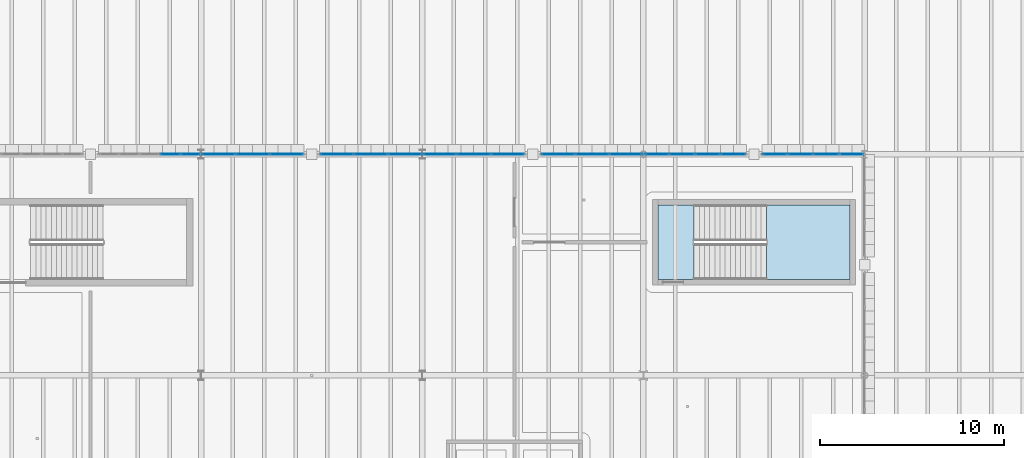
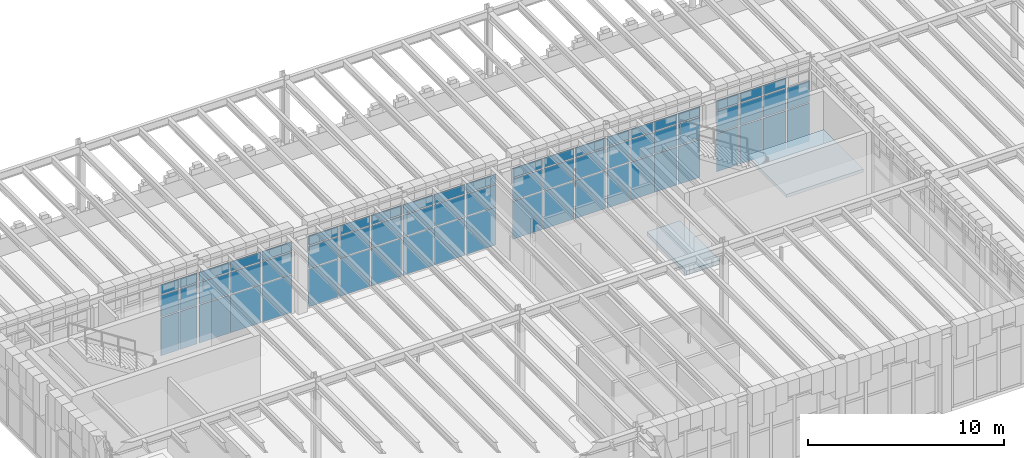
# One storey, part 49 of 100: 65 plates, 2 slabs, 8 elements without a shape of their own.
"""IFC4 building model written with IfcOpenShell, lengths in metres."""

from ifc_helpers import new_model, si_unit, direction, frame, origin, origin_2d, place, context, subcontext, project, spatial, polyline, rectangle, outline, extrude, material, layer, layer_set, type_object, element, aggregate, save


model = new_model("IFC4")

# Units and contexts
model_context = context("Model", 3, precision=1e-05, world=origin(), true_north=direction((0.0, 1.0)))
body_context = subcontext(model_context, "Body", "Model", "MODEL_VIEW")
ifc_project = project(units=[si_unit("LENGTHUNIT", "METRE"), si_unit("AREAUNIT", "SQUARE_METRE"), si_unit("VOLUMEUNIT", "CUBIC_METRE"), si_unit("PLANEANGLEUNIT", "RADIAN"), si_unit("MASSUNIT", "GRAM", prefix="KILO")], contexts=[model_context])

# Site, building, storey
site_placement = place(None, origin())
site = spatial("IfcSite", under=ifc_project, at=site_placement, CompositionType="ELEMENT")
building_placement = place(site_placement, origin())
building = spatial("IfcBuilding", under=site, at=building_placement, Name="Zlatogorsky Bluff Art Gallery", CompositionType="ELEMENT")
storey_placement = place(building_placement, frame((0.0, 0.0, 5.39990234375)))
storey = spatial("IfcBuildingStorey", under=building, at=storey_placement, Name="L01", CompositionType="ELEMENT", Elevation=5.39990234375)

# Curtain wall, plates
ifc_material_1 = material(Name="Anodised Bronze Aluminium and Low-Iron Triple Glazing", Category="aluminium")
ifc_layer_1 = layer(ifc_material_1, 0.179931640625)
ifc_layer_set_1 = layer_set([ifc_layer_1], Name="Curtain Wall CW-03")
curtain_wall_type_1 = type_object("IfcCurtainWallType", Name="Curtain Wall CW-03", PredefinedType="USERDEFINED", material=ifc_layer_set_1)
curtain_wall_1_placement = place(storey_placement, origin())
curtain_wall_1 = element("IfcCurtainWall", 1, at=curtain_wall_1_placement, inside=storey, type_object=curtain_wall_type_1, Name="Unitised curtain wall CW-03 L01 N 0.9-A", ObjectType="CURTAIN WALL", PredefinedType="USERDEFINED")
ifc_material_2 = material(Name="Low-Iron Laminated Triple Glazing", Category="glass")
ifc_layer_2 = layer(ifc_material_2, 0.035888671875)
ifc_layer_set_2 = layer_set([ifc_layer_2], Name="Glazed Curtain Panel CWP-01")
plate_type = type_object("IfcPlateType", Name="Glazed Curtain Panel CWP-01", PredefinedType="CURTAIN_PANEL", material=ifc_layer_set_2)
plate_1_placement = place(storey_placement, frame((11.42578125, 108.0, 0.065185546875), z_axis=(0.0, 0.0, 1.0), x_axis=(-1.0, 0.0, 0.0)))
plate_1 = element("IfcPlate", 2, at=plate_1_placement, type_object=plate_type, Name="CW-03 panel 1.1", PredefinedType="CURTAIN_PANEL", context=body_context, shape_type="SweptSolid", body=[
    extrude(rectangle(XDim=1.0185546875, YDim=0.035888671875, at=origin_2d()), origin(), (0.0, 0.0, 1.0), 2.3525390625),
])
plate_2_placement = place(storey_placement, frame((11.42578125, 108.0, 2.482666015625), z_axis=(0.0, 0.0, 1.0), x_axis=(-1.0, 0.0, 0.0)))
plate_2 = element("IfcPlate", 3, at=plate_2_placement, type_object=plate_type, Name="CW-03 panel 1.2", PredefinedType="CURTAIN_PANEL", context=body_context, shape_type="SweptSolid", body=[
    extrude(rectangle(XDim=1.0185546875, YDim=0.035888671875, at=origin_2d()), origin(), (0.0, 0.0, 1.0), 1.3349609375),
])
plate_3_placement = place(storey_placement, frame((11.42578125, 108.0, 3.882568359375), z_axis=(0.0, 0.0, 1.0), x_axis=(-1.0, 0.0, 0.0)))
plate_3 = element("IfcPlate", 4, at=plate_3_placement, type_object=plate_type, Name="CW-03 panel 1.3", PredefinedType="CURTAIN_PANEL", context=body_context, shape_type="SweptSolid", body=[
    extrude(rectangle(XDim=1.0185546875, YDim=0.035888671875, at=origin_2d()), origin(), (0.0, 0.0, 1.0), 0.58251953125),
])
plate_4_placement = place(storey_placement, frame((10.325927734375, 108.0, 0.065185546875), z_axis=(0.0, 0.0, 1.0), x_axis=(-1.0, 0.0, 0.0)))
plate_4 = element("IfcPlate", 5, at=plate_4_placement, type_object=plate_type, Name="CW-03 panel 2.1", PredefinedType="CURTAIN_PANEL", context=body_context, shape_type="SweptSolid", body=[
    extrude(rectangle(XDim=1.051025390625, YDim=0.035888671875, at=origin_2d()), origin(), (0.0, 0.0, 1.0), 2.3525390625),
])
plate_5_placement = place(storey_placement, frame((10.325927734375, 108.0, 2.482666015625), z_axis=(0.0, 0.0, 1.0), x_axis=(-1.0, 0.0, 0.0)))
plate_5 = element("IfcPlate", 6, at=plate_5_placement, type_object=plate_type, Name="CW-03 panel 2.2", PredefinedType="CURTAIN_PANEL", context=body_context, shape_type="SweptSolid", body=[
    extrude(rectangle(XDim=1.051025390625, YDim=0.035888671875, at=origin_2d()), origin(), (0.0, 0.0, 1.0), 1.3349609375),
])
plate_6_placement = place(storey_placement, frame((10.325927734375, 108.0, 3.882568359375), z_axis=(0.0, 0.0, 1.0), x_axis=(-1.0, 0.0, 0.0)))
plate_6 = element("IfcPlate", 7, at=plate_6_placement, type_object=plate_type, Name="CW-03 panel 2.3", PredefinedType="CURTAIN_PANEL", context=body_context, shape_type="SweptSolid", body=[
    extrude(rectangle(XDim=1.051025390625, YDim=0.035888671875, at=origin_2d()), origin(), (0.0, 0.0, 1.0), 0.58251953125),
])
aggregate(curtain_wall_1, [plate_1, plate_2, plate_3, plate_4, plate_5, plate_6])

ifc_layer_3 = layer(ifc_material_1, 0.219970703125)
ifc_layer_set_3 = layer_set([ifc_layer_3], Name="Curtain Wall CW-04")
curtain_wall_type_2 = type_object("IfcCurtainWallType", Name="Curtain Wall CW-04", PredefinedType="USERDEFINED", material=ifc_layer_set_3)
curtain_wall_2_placement = place(storey_placement, origin())
curtain_wall_2 = element("IfcCurtainWall", 8, at=curtain_wall_2_placement, inside=storey, type_object=curtain_wall_type_2, Name="Unitised curtain wall CW-04 L01 N 1.9-A", ObjectType="CURTAIN WALL", PredefinedType="USERDEFINED")
plate_7_placement = place(storey_placement, frame((23.0537109375, 108.0, 0.065185546875), z_axis=(0.0, 0.0, 1.0), x_axis=(-1.0, 0.0, 0.0)))
plate_7 = element("IfcPlate", 9, at=plate_7_placement, type_object=plate_type, Name="CW-04 panel 1.1", PredefinedType="CURTAIN_PANEL", context=body_context, shape_type="SweptSolid", body=[
    extrude(rectangle(XDim=1.762451171875, YDim=0.035888671875, at=origin_2d()), origin(), (0.0, 0.0, 1.0), 2.3525390625),
])
plate_8_placement = place(storey_placement, frame((23.0537109375, 108.0, 2.482666015625), z_axis=(0.0, 0.0, 1.0), x_axis=(-1.0, 0.0, 0.0)))
plate_8 = element("IfcPlate", 10, at=plate_8_placement, type_object=plate_type, Name="CW-04 panel 1.2", PredefinedType="CURTAIN_PANEL", context=body_context, shape_type="SweptSolid", body=[
    extrude(rectangle(XDim=1.762451171875, YDim=0.035888671875, at=origin_2d()), origin(), (0.0, 0.0, 1.0), 1.3349609375),
])
plate_9_placement = place(storey_placement, frame((23.0537109375, 108.0, 3.882568359375), z_axis=(0.0, 0.0, 1.0), x_axis=(-1.0, 0.0, 0.0)))
plate_9 = element("IfcPlate", 11, at=plate_9_placement, type_object=plate_type, Name="CW-04 panel 1.3", PredefinedType="CURTAIN_PANEL", context=body_context, shape_type="SweptSolid", body=[
    extrude(rectangle(XDim=1.762451171875, YDim=0.035888671875, at=origin_2d()), origin(), (0.0, 0.0, 1.0), 0.58251953125),
])
plate_10_placement = place(storey_placement, frame((21.2099609375, 108.0, 0.065185546875), z_axis=(0.0, 0.0, 1.0), x_axis=(-1.0, 0.0, 0.0)))
plate_10 = element("IfcPlate", 12, at=plate_10_placement, type_object=plate_type, Name="CW-04 panel 2.1", PredefinedType="CURTAIN_PANEL", context=body_context, shape_type="SweptSolid", body=[
    extrude(rectangle(XDim=1.794921875, YDim=0.035888671875, at=origin_2d()), origin(), (0.0, 0.0, 1.0), 2.3525390625),
])
plate_11_placement = place(storey_placement, frame((21.2099609375, 108.0, 2.482666015625), z_axis=(0.0, 0.0, 1.0), x_axis=(-1.0, 0.0, 0.0)))
plate_11 = element("IfcPlate", 13, at=plate_11_placement, type_object=plate_type, Name="CW-04 panel 2.2", PredefinedType="CURTAIN_PANEL", context=body_context, shape_type="SweptSolid", body=[
    extrude(rectangle(XDim=1.794921875, YDim=0.035888671875, at=origin_2d()), origin(), (0.0, 0.0, 1.0), 1.3349609375),
])
plate_12_placement = place(storey_placement, frame((21.2099609375, 108.0, 3.882568359375), z_axis=(0.0, 0.0, 1.0), x_axis=(-1.0, 0.0, 0.0)))
plate_12 = element("IfcPlate", 14, at=plate_12_placement, type_object=plate_type, Name="CW-04 panel 2.3", PredefinedType="CURTAIN_PANEL", context=body_context, shape_type="SweptSolid", body=[
    extrude(rectangle(XDim=1.794921875, YDim=0.035888671875, at=origin_2d()), origin(), (0.0, 0.0, 1.0), 0.58251953125),
])
plate_13_placement = place(storey_placement, frame((19.3662109375, 108.0, 0.065185546875), z_axis=(0.0, 0.0, 1.0), x_axis=(-1.0, 0.0, 0.0)))
plate_13 = element("IfcPlate", 15, at=plate_13_placement, type_object=plate_type, Name="CW-04 panel 3.1", PredefinedType="CURTAIN_PANEL", context=body_context, shape_type="SweptSolid", body=[
    extrude(rectangle(XDim=1.762451171875, YDim=0.035888671875, at=origin_2d()), origin(), (0.0, 0.0, 1.0), 2.3525390625),
])
plate_14_placement = place(storey_placement, frame((19.3662109375, 108.0, 2.482666015625), z_axis=(0.0, 0.0, 1.0), x_axis=(-1.0, 0.0, 0.0)))
plate_14 = element("IfcPlate", 16, at=plate_14_placement, type_object=plate_type, Name="CW-04 panel 3.2", PredefinedType="CURTAIN_PANEL", context=body_context, shape_type="SweptSolid", body=[
    extrude(rectangle(XDim=1.762451171875, YDim=0.035888671875, at=origin_2d()), origin(), (0.0, 0.0, 1.0), 1.3349609375),
])
plate_15_placement = place(storey_placement, frame((19.3662109375, 108.0, 3.882568359375), z_axis=(0.0, 0.0, 1.0), x_axis=(-1.0, 0.0, 0.0)))
plate_15 = element("IfcPlate", 17, at=plate_15_placement, type_object=plate_type, Name="CW-04 panel 3.3", PredefinedType="CURTAIN_PANEL", context=body_context, shape_type="SweptSolid", body=[
    extrude(rectangle(XDim=1.762451171875, YDim=0.035888671875, at=origin_2d()), origin(), (0.0, 0.0, 1.0), 0.58251953125),
])
aggregate(curtain_wall_2, [plate_7, plate_8, plate_9, plate_10, plate_11, plate_12, plate_13, plate_14, plate_15])

curtain_wall_3_placement = place(storey_placement, origin())
curtain_wall_3 = element("IfcCurtainWall", 18, at=curtain_wall_3_placement, inside=storey, type_object=curtain_wall_type_2, Name="Unitised curtain wall CW-04 L01 N 1.9-B", ObjectType="CURTAIN WALL", PredefinedType="USERDEFINED")
plate_16_placement = place(storey_placement, frame((16.6337890625, 108.0, 0.065185546875), z_axis=(0.0, 0.0, 1.0), x_axis=(-1.0, 0.0, 0.0)))
plate_16 = element("IfcPlate", 19, at=plate_16_placement, type_object=plate_type, Name="CW-04 panel 1.1", PredefinedType="CURTAIN_PANEL", context=body_context, shape_type="SweptSolid", body=[
    extrude(rectangle(XDim=1.762451171875, YDim=0.035888671875, at=origin_2d()), origin(), (0.0, 0.0, 1.0), 2.3525390625),
])
plate_17_placement = place(storey_placement, frame((16.6337890625, 108.0, 2.482666015625), z_axis=(0.0, 0.0, 1.0), x_axis=(-1.0, 0.0, 0.0)))
plate_17 = element("IfcPlate", 20, at=plate_17_placement, type_object=plate_type, Name="CW-04 panel 1.2", PredefinedType="CURTAIN_PANEL", context=body_context, shape_type="SweptSolid", body=[
    extrude(rectangle(XDim=1.762451171875, YDim=0.035888671875, at=origin_2d()), origin(), (0.0, 0.0, 1.0), 1.3349609375),
])
plate_18_placement = place(storey_placement, frame((16.6337890625, 108.0, 3.882568359375), z_axis=(0.0, 0.0, 1.0), x_axis=(-1.0, 0.0, 0.0)))
plate_18 = element("IfcPlate", 21, at=plate_18_placement, type_object=plate_type, Name="CW-04 panel 1.3", PredefinedType="CURTAIN_PANEL", context=body_context, shape_type="SweptSolid", body=[
    extrude(rectangle(XDim=1.762451171875, YDim=0.035888671875, at=origin_2d()), origin(), (0.0, 0.0, 1.0), 0.58251953125),
])
plate_19_placement = place(storey_placement, frame((14.7900390625, 108.0, 0.065185546875), z_axis=(0.0, 0.0, 1.0), x_axis=(-1.0, 0.0, 0.0)))
plate_19 = element("IfcPlate", 22, at=plate_19_placement, type_object=plate_type, Name="CW-04 panel 2.1", PredefinedType="CURTAIN_PANEL", context=body_context, shape_type="SweptSolid", body=[
    extrude(rectangle(XDim=1.794921875, YDim=0.035888671875, at=origin_2d()), origin(), (0.0, 0.0, 1.0), 2.3525390625),
])
plate_20_placement = place(storey_placement, frame((14.7900390625, 108.0, 2.482666015625), z_axis=(0.0, 0.0, 1.0), x_axis=(-1.0, 0.0, 0.0)))
plate_20 = element("IfcPlate", 23, at=plate_20_placement, type_object=plate_type, Name="CW-04 panel 2.2", PredefinedType="CURTAIN_PANEL", context=body_context, shape_type="SweptSolid", body=[
    extrude(rectangle(XDim=1.794921875, YDim=0.035888671875, at=origin_2d()), origin(), (0.0, 0.0, 1.0), 1.3349609375),
])
plate_21_placement = place(storey_placement, frame((14.7900390625, 108.0, 3.882568359375), z_axis=(0.0, 0.0, 1.0), x_axis=(-1.0, 0.0, 0.0)))
plate_21 = element("IfcPlate", 24, at=plate_21_placement, type_object=plate_type, Name="CW-04 panel 2.3", PredefinedType="CURTAIN_PANEL", context=body_context, shape_type="SweptSolid", body=[
    extrude(rectangle(XDim=1.794921875, YDim=0.035888671875, at=origin_2d()), origin(), (0.0, 0.0, 1.0), 0.58251953125),
])
plate_22_placement = place(storey_placement, frame((12.9462890625, 108.0, 0.065185546875), z_axis=(0.0, 0.0, 1.0), x_axis=(-1.0, 0.0, 0.0)))
plate_22 = element("IfcPlate", 25, at=plate_22_placement, type_object=plate_type, Name="CW-04 panel 3.1", PredefinedType="CURTAIN_PANEL", context=body_context, shape_type="SweptSolid", body=[
    extrude(rectangle(XDim=1.762451171875, YDim=0.035888671875, at=origin_2d()), origin(), (0.0, 0.0, 1.0), 2.3525390625),
])
plate_23_placement = place(storey_placement, frame((12.9462890625, 108.0, 2.482666015625), z_axis=(0.0, 0.0, 1.0), x_axis=(-1.0, 0.0, 0.0)))
plate_23 = element("IfcPlate", 26, at=plate_23_placement, type_object=plate_type, Name="CW-04 panel 3.2", PredefinedType="CURTAIN_PANEL", context=body_context, shape_type="SweptSolid", body=[
    extrude(rectangle(XDim=1.762451171875, YDim=0.035888671875, at=origin_2d()), origin(), (0.0, 0.0, 1.0), 1.3349609375),
])
plate_24_placement = place(storey_placement, frame((12.9462890625, 108.0, 3.882568359375), z_axis=(0.0, 0.0, 1.0), x_axis=(-1.0, 0.0, 0.0)))
plate_24 = element("IfcPlate", 27, at=plate_24_placement, type_object=plate_type, Name="CW-04 panel 3.3", PredefinedType="CURTAIN_PANEL", context=body_context, shape_type="SweptSolid", body=[
    extrude(rectangle(XDim=1.762451171875, YDim=0.035888671875, at=origin_2d()), origin(), (0.0, 0.0, 1.0), 0.58251953125),
])
aggregate(curtain_wall_3, [plate_16, plate_17, plate_18, plate_19, plate_20, plate_21, plate_22, plate_23, plate_24])

curtain_wall_4_placement = place(storey_placement, origin())
curtain_wall_4 = element("IfcCurtainWall", 28, at=curtain_wall_4_placement, inside=storey, type_object=curtain_wall_type_2, Name="Unitised curtain wall CW-04 L01 N 2.9-A", ObjectType="CURTAIN WALL", PredefinedType="USERDEFINED")
plate_25_placement = place(storey_placement, frame((35.0537109375, 108.0, 0.065185546875), z_axis=(0.0, 0.0, 1.0), x_axis=(-1.0, 0.0, 0.0)))
plate_25 = element("IfcPlate", 29, at=plate_25_placement, type_object=plate_type, Name="CW-04 panel 1.1", PredefinedType="CURTAIN_PANEL", context=body_context, shape_type="SweptSolid", body=[
    extrude(rectangle(XDim=1.762451171875, YDim=0.035888671875, at=origin_2d()), origin(), (0.0, 0.0, 1.0), 2.3525390625),
])
plate_26_placement = place(storey_placement, frame((35.0537109375, 108.0, 2.482666015625), z_axis=(0.0, 0.0, 1.0), x_axis=(-1.0, 0.0, 0.0)))
plate_26 = element("IfcPlate", 30, at=plate_26_placement, type_object=plate_type, Name="CW-04 panel 1.2", PredefinedType="CURTAIN_PANEL", context=body_context, shape_type="SweptSolid", body=[
    extrude(rectangle(XDim=1.762451171875, YDim=0.035888671875, at=origin_2d()), origin(), (0.0, 0.0, 1.0), 1.3349609375),
])
plate_27_placement = place(storey_placement, frame((35.0537109375, 108.0, 3.882568359375), z_axis=(0.0, 0.0, 1.0), x_axis=(-1.0, 0.0, 0.0)))
plate_27 = element("IfcPlate", 31, at=plate_27_placement, type_object=plate_type, Name="CW-04 panel 1.3", PredefinedType="CURTAIN_PANEL", context=body_context, shape_type="SweptSolid", body=[
    extrude(rectangle(XDim=1.762451171875, YDim=0.035888671875, at=origin_2d()), origin(), (0.0, 0.0, 1.0), 0.58251953125),
])
plate_28_placement = place(storey_placement, frame((33.2099609375, 108.0, 0.065185546875), z_axis=(0.0, 0.0, 1.0), x_axis=(-1.0, 0.0, 0.0)))
plate_28 = element("IfcPlate", 32, at=plate_28_placement, type_object=plate_type, Name="CW-04 panel 2.1", PredefinedType="CURTAIN_PANEL", context=body_context, shape_type="SweptSolid", body=[
    extrude(rectangle(XDim=1.794921875, YDim=0.035888671875, at=origin_2d()), origin(), (0.0, 0.0, 1.0), 2.3525390625),
])
plate_29_placement = place(storey_placement, frame((33.2099609375, 108.0, 2.482666015625), z_axis=(0.0, 0.0, 1.0), x_axis=(-1.0, 0.0, 0.0)))
plate_29 = element("IfcPlate", 33, at=plate_29_placement, type_object=plate_type, Name="CW-04 panel 2.2", PredefinedType="CURTAIN_PANEL", context=body_context, shape_type="SweptSolid", body=[
    extrude(rectangle(XDim=1.794921875, YDim=0.035888671875, at=origin_2d()), origin(), (0.0, 0.0, 1.0), 1.3349609375),
])
plate_30_placement = place(storey_placement, frame((33.2099609375, 108.0, 3.882568359375), z_axis=(0.0, 0.0, 1.0), x_axis=(-1.0, 0.0, 0.0)))
plate_30 = element("IfcPlate", 34, at=plate_30_placement, type_object=plate_type, Name="CW-04 panel 2.3", PredefinedType="CURTAIN_PANEL", context=body_context, shape_type="SweptSolid", body=[
    extrude(rectangle(XDim=1.794921875, YDim=0.035888671875, at=origin_2d()), origin(), (0.0, 0.0, 1.0), 0.58251953125),
])
plate_31_placement = place(storey_placement, frame((31.3662109375, 108.0, 0.065185546875), z_axis=(0.0, 0.0, 1.0), x_axis=(-1.0, 0.0, 0.0)))
plate_31 = element("IfcPlate", 35, at=plate_31_placement, type_object=plate_type, Name="CW-04 panel 3.1", PredefinedType="CURTAIN_PANEL", context=body_context, shape_type="SweptSolid", body=[
    extrude(rectangle(XDim=1.762451171875, YDim=0.035888671875, at=origin_2d()), origin(), (0.0, 0.0, 1.0), 2.3525390625),
])
plate_32_placement = place(storey_placement, frame((31.3662109375, 108.0, 2.482666015625), z_axis=(0.0, 0.0, 1.0), x_axis=(-1.0, 0.0, 0.0)))
plate_32 = element("IfcPlate", 36, at=plate_32_placement, type_object=plate_type, Name="CW-04 panel 3.2", PredefinedType="CURTAIN_PANEL", context=body_context, shape_type="SweptSolid", body=[
    extrude(rectangle(XDim=1.762451171875, YDim=0.035888671875, at=origin_2d()), origin(), (0.0, 0.0, 1.0), 1.3349609375),
])
plate_33_placement = place(storey_placement, frame((31.3662109375, 108.0, 3.882568359375), z_axis=(0.0, 0.0, 1.0), x_axis=(-1.0, 0.0, 0.0)))
plate_33 = element("IfcPlate", 37, at=plate_33_placement, type_object=plate_type, Name="CW-04 panel 3.3", PredefinedType="CURTAIN_PANEL", context=body_context, shape_type="SweptSolid", body=[
    extrude(rectangle(XDim=1.762451171875, YDim=0.035888671875, at=origin_2d()), origin(), (0.0, 0.0, 1.0), 0.58251953125),
])
aggregate(curtain_wall_4, [plate_25, plate_26, plate_27, plate_28, plate_29, plate_30, plate_31, plate_32, plate_33])

curtain_wall_5_placement = place(storey_placement, origin())
curtain_wall_5 = element("IfcCurtainWall", 38, at=curtain_wall_5_placement, inside=storey, type_object=curtain_wall_type_2, Name="Unitised curtain wall CW-04 L01 N 2.9-B", ObjectType="CURTAIN WALL", PredefinedType="USERDEFINED")
plate_34_placement = place(storey_placement, frame((28.6337890625, 108.0, 0.065185546875), z_axis=(0.0, 0.0, 1.0), x_axis=(-1.0, 0.0, 0.0)))
plate_34 = element("IfcPlate", 39, at=plate_34_placement, type_object=plate_type, Name="CW-04 panel 1.1", PredefinedType="CURTAIN_PANEL", context=body_context, shape_type="SweptSolid", body=[
    extrude(rectangle(XDim=1.762451171875, YDim=0.035888671875, at=origin_2d()), origin(), (0.0, 0.0, 1.0), 2.3525390625),
])
plate_35_placement = place(storey_placement, frame((28.6337890625, 108.0, 2.482666015625), z_axis=(0.0, 0.0, 1.0), x_axis=(-1.0, 0.0, 0.0)))
plate_35 = element("IfcPlate", 40, at=plate_35_placement, type_object=plate_type, Name="CW-04 panel 1.2", PredefinedType="CURTAIN_PANEL", context=body_context, shape_type="SweptSolid", body=[
    extrude(rectangle(XDim=1.762451171875, YDim=0.035888671875, at=origin_2d()), origin(), (0.0, 0.0, 1.0), 1.3349609375),
])
plate_36_placement = place(storey_placement, frame((28.6337890625, 108.0, 3.882568359375), z_axis=(0.0, 0.0, 1.0), x_axis=(-1.0, 0.0, 0.0)))
plate_36 = element("IfcPlate", 41, at=plate_36_placement, type_object=plate_type, Name="CW-04 panel 1.3", PredefinedType="CURTAIN_PANEL", context=body_context, shape_type="SweptSolid", body=[
    extrude(rectangle(XDim=1.762451171875, YDim=0.035888671875, at=origin_2d()), origin(), (0.0, 0.0, 1.0), 0.58251953125),
])
plate_37_placement = place(storey_placement, frame((26.7900390625, 108.0, 0.065185546875), z_axis=(0.0, 0.0, 1.0), x_axis=(-1.0, 0.0, 0.0)))
plate_37 = element("IfcPlate", 42, at=plate_37_placement, type_object=plate_type, Name="CW-04 panel 2.1", PredefinedType="CURTAIN_PANEL", context=body_context, shape_type="SweptSolid", body=[
    extrude(rectangle(XDim=1.794921875, YDim=0.035888671875, at=origin_2d()), origin(), (0.0, 0.0, 1.0), 2.3525390625),
])
plate_38_placement = place(storey_placement, frame((26.7900390625, 108.0, 2.482666015625), z_axis=(0.0, 0.0, 1.0), x_axis=(-1.0, 0.0, 0.0)))
plate_38 = element("IfcPlate", 43, at=plate_38_placement, type_object=plate_type, Name="CW-04 panel 2.2", PredefinedType="CURTAIN_PANEL", context=body_context, shape_type="SweptSolid", body=[
    extrude(rectangle(XDim=1.794921875, YDim=0.035888671875, at=origin_2d()), origin(), (0.0, 0.0, 1.0), 1.3349609375),
])
plate_39_placement = place(storey_placement, frame((26.7900390625, 108.0, 3.882568359375), z_axis=(0.0, 0.0, 1.0), x_axis=(-1.0, 0.0, 0.0)))
plate_39 = element("IfcPlate", 44, at=plate_39_placement, type_object=plate_type, Name="CW-04 panel 2.3", PredefinedType="CURTAIN_PANEL", context=body_context, shape_type="SweptSolid", body=[
    extrude(rectangle(XDim=1.794921875, YDim=0.035888671875, at=origin_2d()), origin(), (0.0, 0.0, 1.0), 0.58251953125),
])
plate_40_placement = place(storey_placement, frame((24.9462890625, 108.0, 0.065185546875), z_axis=(0.0, 0.0, 1.0), x_axis=(-1.0, 0.0, 0.0)))
plate_40 = element("IfcPlate", 45, at=plate_40_placement, type_object=plate_type, Name="CW-04 panel 3.1", PredefinedType="CURTAIN_PANEL", context=body_context, shape_type="SweptSolid", body=[
    extrude(rectangle(XDim=1.762451171875, YDim=0.035888671875, at=origin_2d()), origin(), (0.0, 0.0, 1.0), 2.3525390625),
])
plate_41_placement = place(storey_placement, frame((24.9462890625, 108.0, 2.482666015625), z_axis=(0.0, 0.0, 1.0), x_axis=(-1.0, 0.0, 0.0)))
plate_41 = element("IfcPlate", 46, at=plate_41_placement, type_object=plate_type, Name="CW-04 panel 3.2", PredefinedType="CURTAIN_PANEL", context=body_context, shape_type="SweptSolid", body=[
    extrude(rectangle(XDim=1.762451171875, YDim=0.035888671875, at=origin_2d()), origin(), (0.0, 0.0, 1.0), 1.3349609375),
])
plate_42_placement = place(storey_placement, frame((24.9462890625, 108.0, 3.882568359375), z_axis=(0.0, 0.0, 1.0), x_axis=(-1.0, 0.0, 0.0)))
plate_42 = element("IfcPlate", 47, at=plate_42_placement, type_object=plate_type, Name="CW-04 panel 3.3", PredefinedType="CURTAIN_PANEL", context=body_context, shape_type="SweptSolid", body=[
    extrude(rectangle(XDim=1.762451171875, YDim=0.035888671875, at=origin_2d()), origin(), (0.0, 0.0, 1.0), 0.58251953125),
])
aggregate(curtain_wall_5, [plate_34, plate_35, plate_36, plate_37, plate_38, plate_39, plate_40, plate_41, plate_42])

ifc_layer_4 = layer(ifc_material_1, 0.199951171875)
ifc_layer_set_4 = layer_set([ifc_layer_4], Name="Curtain Wall CW-02")
curtain_wall_type_3 = type_object("IfcCurtainWallType", Name="Curtain Wall CW-02", PredefinedType="USERDEFINED", material=ifc_layer_set_4)
curtain_wall_6_placement = place(storey_placement, origin())
curtain_wall_6 = element("IfcCurtainWall", 48, at=curtain_wall_6_placement, inside=storey, type_object=curtain_wall_type_3, Name="Unitised curtain wall CW-02 L01 N 3.9-A", ObjectType="CURTAIN WALL", PredefinedType="USERDEFINED")
plate_43_placement = place(storey_placement, frame((47.2861328125, 108.0, 0.065185546875), z_axis=(0.0, 0.0, 1.0), x_axis=(-1.0, 0.0, 0.0)))
plate_43 = element("IfcPlate", 49, at=plate_43_placement, type_object=plate_type, Name="CW-02 panel 1.1", PredefinedType="CURTAIN_PANEL", context=body_context, shape_type="SweptSolid", body=[
    extrude(rectangle(XDim=1.297607421875, YDim=0.035888671875, at=origin_2d()), origin(), (0.0, 0.0, 1.0), 2.3525390625),
])
plate_44_placement = place(storey_placement, frame((47.2861328125, 108.0, 2.482666015625), z_axis=(0.0, 0.0, 1.0), x_axis=(-1.0, 0.0, 0.0)))
plate_44 = element("IfcPlate", 50, at=plate_44_placement, type_object=plate_type, Name="CW-02 panel 1.2", PredefinedType="CURTAIN_PANEL", context=body_context, shape_type="SweptSolid", body=[
    extrude(rectangle(XDim=1.297607421875, YDim=0.035888671875, at=origin_2d()), origin(), (0.0, 0.0, 1.0), 1.3349609375),
])
plate_45_placement = place(storey_placement, frame((45.907470703125, 108.0, 0.065185546875), z_axis=(0.0, 0.0, 1.0), x_axis=(-1.0, 0.0, 0.0)))
plate_45 = element("IfcPlate", 51, at=plate_45_placement, type_object=plate_type, Name="CW-02 panel 2.1", PredefinedType="CURTAIN_PANEL", context=body_context, shape_type="SweptSolid", body=[
    extrude(rectangle(XDim=1.330078125, YDim=0.035888671875, at=origin_2d()), origin(), (0.0, 0.0, 1.0), 2.3525390625),
])
plate_46_placement = place(storey_placement, frame((45.907470703125, 108.0, 2.482666015625), z_axis=(0.0, 0.0, 1.0), x_axis=(-1.0, 0.0, 0.0)))
plate_46 = element("IfcPlate", 52, at=plate_46_placement, type_object=plate_type, Name="CW-02 panel 2.2", PredefinedType="CURTAIN_PANEL", context=body_context, shape_type="SweptSolid", body=[
    extrude(rectangle(XDim=1.330078125, YDim=0.035888671875, at=origin_2d()), origin(), (0.0, 0.0, 1.0), 1.3349609375),
])
plate_47_placement = place(storey_placement, frame((45.907470703125, 108.0, 3.882568359375), z_axis=(0.0, 0.0, 1.0), x_axis=(-1.0, 0.0, 0.0)))
plate_47 = element("IfcPlate", 53, at=plate_47_placement, type_object=plate_type, Name="CW-02 panel 2.3", PredefinedType="CURTAIN_PANEL", context=body_context, shape_type="SweptSolid", body=[
    extrude(rectangle(XDim=1.330078125, YDim=0.035888671875, at=origin_2d()), origin(), (0.0, 0.0, 1.0), 0.58251953125),
])
plate_48_placement = place(storey_placement, frame((44.512451171875, 108.0, 0.065185546875), z_axis=(0.0, 0.0, 1.0), x_axis=(-1.0, 0.0, 0.0)))
plate_48 = element("IfcPlate", 54, at=plate_48_placement, type_object=plate_type, Name="CW-02 panel 3.1", PredefinedType="CURTAIN_PANEL", context=body_context, shape_type="SweptSolid", body=[
    extrude(rectangle(XDim=1.330078125, YDim=0.035888671875, at=origin_2d()), origin(), (0.0, 0.0, 1.0), 2.3525390625),
])
plate_49_placement = place(storey_placement, frame((44.512451171875, 108.0, 2.482666015625), z_axis=(0.0, 0.0, 1.0), x_axis=(-1.0, 0.0, 0.0)))
plate_49 = element("IfcPlate", 55, at=plate_49_placement, type_object=plate_type, Name="CW-02 panel 3.2", PredefinedType="CURTAIN_PANEL", context=body_context, shape_type="SweptSolid", body=[
    extrude(rectangle(XDim=1.330078125, YDim=0.035888671875, at=origin_2d()), origin(), (0.0, 0.0, 1.0), 1.3349609375),
])
plate_50_placement = place(storey_placement, frame((44.512451171875, 108.0, 3.882568359375), z_axis=(0.0, 0.0, 1.0), x_axis=(-1.0, 0.0, 0.0)))
plate_50 = element("IfcPlate", 56, at=plate_50_placement, type_object=plate_type, Name="CW-02 panel 3.3", PredefinedType="CURTAIN_PANEL", context=body_context, shape_type="SweptSolid", body=[
    extrude(rectangle(XDim=1.330078125, YDim=0.035888671875, at=origin_2d()), origin(), (0.0, 0.0, 1.0), 0.58251953125),
])
plate_51_placement = place(storey_placement, frame((43.1337890625, 108.0, 0.065185546875), z_axis=(0.0, 0.0, 1.0), x_axis=(-1.0, 0.0, 0.0)))
plate_51 = element("IfcPlate", 57, at=plate_51_placement, type_object=plate_type, Name="CW-02 panel 4.1", PredefinedType="CURTAIN_PANEL", context=body_context, shape_type="SweptSolid", body=[
    extrude(rectangle(XDim=1.297607421875, YDim=0.035888671875, at=origin_2d()), origin(), (0.0, 0.0, 1.0), 2.3525390625),
])
plate_52_placement = place(storey_placement, frame((43.1337890625, 108.0, 2.482666015625), z_axis=(0.0, 0.0, 1.0), x_axis=(-1.0, 0.0, 0.0)))
plate_52 = element("IfcPlate", 58, at=plate_52_placement, type_object=plate_type, Name="CW-02 panel 4.2", PredefinedType="CURTAIN_PANEL", context=body_context, shape_type="SweptSolid", body=[
    extrude(rectangle(XDim=1.297607421875, YDim=0.035888671875, at=origin_2d()), origin(), (0.0, 0.0, 1.0), 1.3349609375),
])
plate_53_placement = place(storey_placement, frame((43.1337890625, 108.0, 3.882568359375), z_axis=(0.0, 0.0, 1.0), x_axis=(-1.0, 0.0, 0.0)))
plate_53 = element("IfcPlate", 59, at=plate_53_placement, type_object=plate_type, Name="CW-02 panel 4.3", PredefinedType="CURTAIN_PANEL", context=body_context, shape_type="SweptSolid", body=[
    extrude(rectangle(XDim=1.297607421875, YDim=0.035888671875, at=origin_2d()), origin(), (0.0, 0.0, 1.0), 0.58251953125),
])
aggregate(curtain_wall_6, [plate_43, plate_44, plate_45, plate_46, plate_47, plate_48, plate_49, plate_50, plate_51, plate_52, plate_53])

curtain_wall_7_placement = place(storey_placement, origin())
curtain_wall_7 = element("IfcCurtainWall", 60, at=curtain_wall_7_placement, inside=storey, type_object=curtain_wall_type_3, Name="Unitised curtain wall CW-02 L01 N 3.9-B", ObjectType="CURTAIN WALL", PredefinedType="USERDEFINED")
plate_54_placement = place(storey_placement, frame((40.8662109375, 108.0, 0.065185546875), z_axis=(0.0, 0.0, 1.0), x_axis=(-1.0, 0.0, 0.0)))
plate_54 = element("IfcPlate", 61, at=plate_54_placement, type_object=plate_type, Name="CW-02 panel 1.1", PredefinedType="CURTAIN_PANEL", context=body_context, shape_type="SweptSolid", body=[
    extrude(rectangle(XDim=1.297607421875, YDim=0.035888671875, at=origin_2d()), origin(), (0.0, 0.0, 1.0), 2.3525390625),
])
plate_55_placement = place(storey_placement, frame((40.8662109375, 108.0, 2.482666015625), z_axis=(0.0, 0.0, 1.0), x_axis=(-1.0, 0.0, 0.0)))
plate_55 = element("IfcPlate", 62, at=plate_55_placement, type_object=plate_type, Name="CW-02 panel 1.2", PredefinedType="CURTAIN_PANEL", context=body_context, shape_type="SweptSolid", body=[
    extrude(rectangle(XDim=1.297607421875, YDim=0.035888671875, at=origin_2d()), origin(), (0.0, 0.0, 1.0), 1.3349609375),
])
plate_56_placement = place(storey_placement, frame((40.8662109375, 108.0, 3.882568359375), z_axis=(0.0, 0.0, 1.0), x_axis=(-1.0, 0.0, 0.0)))
plate_56 = element("IfcPlate", 63, at=plate_56_placement, type_object=plate_type, Name="CW-02 panel 1.3", PredefinedType="CURTAIN_PANEL", context=body_context, shape_type="SweptSolid", body=[
    extrude(rectangle(XDim=1.297607421875, YDim=0.035888671875, at=origin_2d()), origin(), (0.0, 0.0, 1.0), 0.58251953125),
])
plate_57_placement = place(storey_placement, frame((39.487548828125, 108.0, 0.065185546875), z_axis=(0.0, 0.0, 1.0), x_axis=(-1.0, 0.0, 0.0)))
plate_57 = element("IfcPlate", 64, at=plate_57_placement, type_object=plate_type, Name="CW-02 panel 2.1", PredefinedType="CURTAIN_PANEL", context=body_context, shape_type="SweptSolid", body=[
    extrude(rectangle(XDim=1.330078125, YDim=0.035888671875, at=origin_2d()), origin(), (0.0, 0.0, 1.0), 2.3525390625),
])
plate_58_placement = place(storey_placement, frame((39.487548828125, 108.0, 2.482666015625), z_axis=(0.0, 0.0, 1.0), x_axis=(-1.0, 0.0, 0.0)))
plate_58 = element("IfcPlate", 65, at=plate_58_placement, type_object=plate_type, Name="CW-02 panel 2.2", PredefinedType="CURTAIN_PANEL", context=body_context, shape_type="SweptSolid", body=[
    extrude(rectangle(XDim=1.330078125, YDim=0.035888671875, at=origin_2d()), origin(), (0.0, 0.0, 1.0), 1.3349609375),
])
plate_59_placement = place(storey_placement, frame((39.487548828125, 108.0, 3.882568359375), z_axis=(0.0, 0.0, 1.0), x_axis=(-1.0, 0.0, 0.0)))
plate_59 = element("IfcPlate", 66, at=plate_59_placement, type_object=plate_type, Name="CW-02 panel 2.3", PredefinedType="CURTAIN_PANEL", context=body_context, shape_type="SweptSolid", body=[
    extrude(rectangle(XDim=1.330078125, YDim=0.035888671875, at=origin_2d()), origin(), (0.0, 0.0, 1.0), 0.58251953125),
])
plate_60_placement = place(storey_placement, frame((38.092529296875, 108.0, 0.065185546875), z_axis=(0.0, 0.0, 1.0), x_axis=(-1.0, 0.0, 0.0)))
plate_60 = element("IfcPlate", 67, at=plate_60_placement, type_object=plate_type, Name="CW-02 panel 3.1", PredefinedType="CURTAIN_PANEL", context=body_context, shape_type="SweptSolid", body=[
    extrude(rectangle(XDim=1.330078125, YDim=0.035888671875, at=origin_2d()), origin(), (0.0, 0.0, 1.0), 2.3525390625),
])
plate_61_placement = place(storey_placement, frame((38.092529296875, 108.0, 2.482666015625), z_axis=(0.0, 0.0, 1.0), x_axis=(-1.0, 0.0, 0.0)))
plate_61 = element("IfcPlate", 68, at=plate_61_placement, type_object=plate_type, Name="CW-02 panel 3.2", PredefinedType="CURTAIN_PANEL", context=body_context, shape_type="SweptSolid", body=[
    extrude(rectangle(XDim=1.330078125, YDim=0.035888671875, at=origin_2d()), origin(), (0.0, 0.0, 1.0), 1.3349609375),
])
plate_62_placement = place(storey_placement, frame((38.092529296875, 108.0, 3.882568359375), z_axis=(0.0, 0.0, 1.0), x_axis=(-1.0, 0.0, 0.0)))
plate_62 = element("IfcPlate", 69, at=plate_62_placement, type_object=plate_type, Name="CW-02 panel 3.3", PredefinedType="CURTAIN_PANEL", context=body_context, shape_type="SweptSolid", body=[
    extrude(rectangle(XDim=1.330078125, YDim=0.035888671875, at=origin_2d()), origin(), (0.0, 0.0, 1.0), 0.58251953125),
])
plate_63_placement = place(storey_placement, frame((36.7138671875, 108.0, 0.065185546875), z_axis=(0.0, 0.0, 1.0), x_axis=(-1.0, 0.0, 0.0)))
plate_63 = element("IfcPlate", 70, at=plate_63_placement, type_object=plate_type, Name="CW-02 panel 4.1", PredefinedType="CURTAIN_PANEL", context=body_context, shape_type="SweptSolid", body=[
    extrude(rectangle(XDim=1.297607421875, YDim=0.035888671875, at=origin_2d()), origin(), (0.0, 0.0, 1.0), 2.3525390625),
])
plate_64_placement = place(storey_placement, frame((36.7138671875, 108.0, 2.482666015625), z_axis=(0.0, 0.0, 1.0), x_axis=(-1.0, 0.0, 0.0)))
plate_64 = element("IfcPlate", 71, at=plate_64_placement, type_object=plate_type, Name="CW-02 panel 4.2", PredefinedType="CURTAIN_PANEL", context=body_context, shape_type="SweptSolid", body=[
    extrude(rectangle(XDim=1.297607421875, YDim=0.035888671875, at=origin_2d()), origin(), (0.0, 0.0, 1.0), 1.3349609375),
])
plate_65_placement = place(storey_placement, frame((36.7138671875, 108.0, 3.882568359375), z_axis=(0.0, 0.0, 1.0), x_axis=(-1.0, 0.0, 0.0)))
plate_65 = element("IfcPlate", 72, at=plate_65_placement, type_object=plate_type, Name="CW-02 panel 4.3", PredefinedType="CURTAIN_PANEL", context=body_context, shape_type="SweptSolid", body=[
    extrude(rectangle(XDim=1.297607421875, YDim=0.035888671875, at=origin_2d()), origin(), (0.0, 0.0, 1.0), 0.58251953125),
])
aggregate(curtain_wall_7, [plate_54, plate_55, plate_56, plate_57, plate_58, plate_59, plate_60, plate_61, plate_62, plate_63, plate_64, plate_65])

# Slab
ifc_material_3 = material(Name="Concrete C30/37", Category="concrete")
ifc_layer_5 = layer(ifc_material_3, 0.260009765625)
ifc_layer_set_5 = layer_set([ifc_layer_5], Name="Slab SL-01 260mm")
slab_type_1 = type_object("IfcSlabType", Name="Slab SL-01 260mm", PredefinedType="FLOOR", material=ifc_layer_set_5)
slab_1_placement = place(storey_placement, frame((0.0, 0.0, -0.260009765625)))
element("IfcSlab", 73, at=slab_1_placement, inside=storey, type_object=slab_type_1, Name="L01 stair ST-07 structural floor landing slab", PredefinedType="FLOOR", context=body_context, shape_type="SweptSolid", body=[
    extrude(outline(polyline([(36.800048828125, 101.199951171875), (38.75, 101.199951171875), (38.75, 105.25), (36.800048828125, 105.25), (36.800048828125, 101.199951171875)])), origin(), (0.0, 0.0, 1.0), 0.260009765625),
])

# Stair, slab
stair_type = type_object("IfcStairType", Name="Protected Dogleg Stair ST-T3", PredefinedType="HALF_TURN_STAIR", material=ifc_material_3)
stair_placement = place(storey_placement, origin())
stair = element("IfcStair", 74, at=stair_placement, inside=storey, type_object=stair_type, Name="L01 Protected Exit Stair ST-07", PredefinedType="HALF_TURN_STAIR")
ifc_layer_6 = layer(ifc_material_3, 0.199951171875)
ifc_layer_set_6 = layer_set([ifc_layer_6], Name="Stair Half-Landing 200mm")
slab_type_2 = type_object("IfcSlabType", Name="Stair Half-Landing 200mm", PredefinedType="LANDING", material=ifc_layer_set_6)
slab_2_placement = place(storey_placement, frame((0.0, 0.0, 2.5)))
slab_2 = element("IfcSlab", 75, at=slab_2_placement, type_object=slab_type_2, Name="ST-07 landing 1", PredefinedType="LANDING", context=body_context, shape_type="SweptSolid", body=[
    extrude(outline(polyline([(42.669921875, 101.199951171875), (47.199951171875, 101.199951171875), (47.199951171875, 105.25), (42.669921875, 105.25), (42.669921875, 101.199951171875)])), origin(), (0.0, 0.0, 1.0), 0.2001953125),
])
aggregate(stair, [slab_2])

save(model, "model.ifc")
